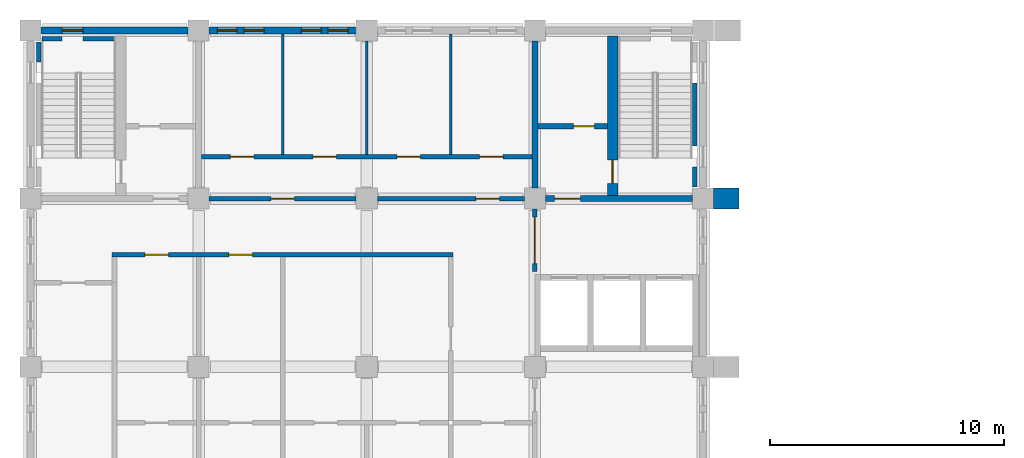
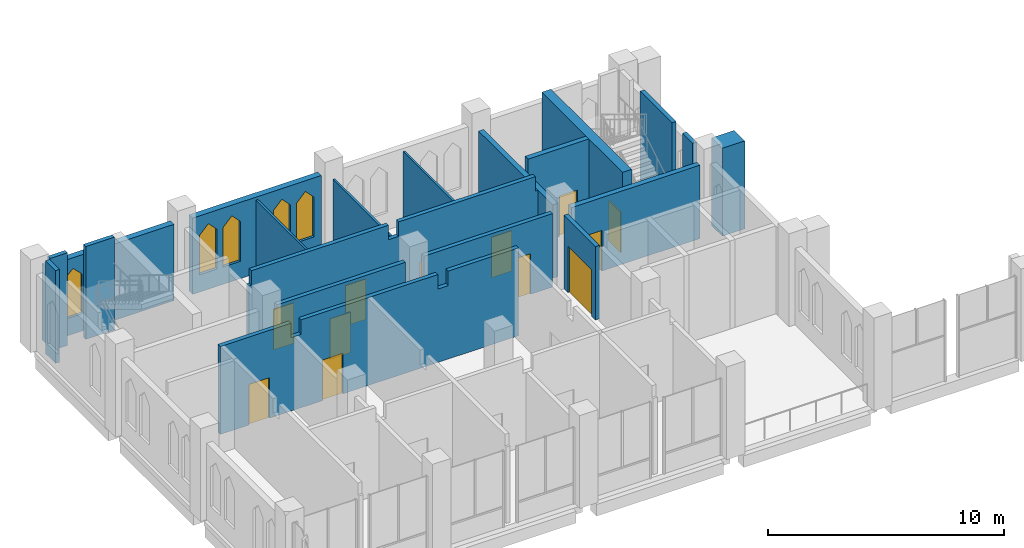
# One storey, part 32 of 40: 20 walls, 12 doors, 5 windows, 17 openings.
"""IFC4 building model written with IfcOpenShell, lengths in metres."""

from ifc_helpers import new_model, si_unit, direction, frame, frame_2d, origin, place, context, subcontext, project, spatial, polyline, rectangle, outline, extrude, material, layer, layer_set, type_object, element, fill, save


model = new_model("IFC4")

# Units and contexts
model_context = context("Model", 3, precision=1e-05, world=origin(), true_north=direction((0.0, 1.0)))
body_context = subcontext(model_context, "Body", "Model", "MODEL_VIEW")
ifc_project = project(units=[si_unit("LENGTHUNIT", "METRE"), si_unit("AREAUNIT", "SQUARE_METRE"), si_unit("VOLUMEUNIT", "CUBIC_METRE"), si_unit("PLANEANGLEUNIT", "RADIAN"), si_unit("MASSUNIT", "GRAM", prefix="KILO")], contexts=[model_context])

# Site, building, storey
site_placement = place(None, origin())
site = spatial("IfcSite", under=ifc_project, at=site_placement, CompositionType="ELEMENT")
building_placement = place(site_placement, origin())
building = spatial("IfcBuilding", under=site, at=building_placement, Name="Silangan Lancet Faculty of Sciences", CompositionType="ELEMENT")
storey_placement = place(building_placement, frame((0.0, 0.0, 16.800048828125)))
storey = spatial("IfcBuildingStorey", under=building, at=storey_placement, Name="L03", CompositionType="ELEMENT", Elevation=16.800048828125)

# Wall, openings, windows
ifc_material_1 = material(Name="Concrete C40/50 precast", Category="concrete")
ifc_layer_1 = layer(ifc_material_1, 0.300048828125)
ifc_layer_set_1 = layer_set([ifc_layer_1], Name="Concrete C40/50 precast")
wall_type_1 = type_object("IfcWallType", Name="EW1 Precast cladding wall", PredefinedType="STANDARD", material=ifc_layer_set_1)
wall_1_placement = place(storey_placement, frame((13.949951171875, 57.60009765625, 0.0), z_axis=(0.0, 0.0, 1.0), x_axis=(-1.0, 0.0, 0.0)))
wall_1 = element("IfcWall", 1, at=wall_1_placement, inside=storey, type_object=wall_type_1, Name="EW-L03-N-NT-02", PredefinedType="STANDARD", context=body_context, shape_type="SweptSolid", body=[
    extrude(rectangle(XDim=6.300048828125, YDim=0.300048828125, at=frame_2d((3.14990234375, 0.0))), origin(), (0.0, 0.0, 1.0), 3.949951171875),
])
opening_1_placement = place(wall_1_placement, frame((0.35009765625, 0.0, 0.89990234375)))
opening_1 = element("IfcOpeningElement", 2, at=opening_1_placement, cuts=wall_1, Name="Opening W14", PredefinedType="OPENING", context=body_context, shape_type="SweptSolid", body=[
    extrude(outline(polyline([(0.0, 0.0), (0.85009765625, 0.0), (0.85009765625, 2.050048828125), (0.425048828125, 2.5), (0.0, 2.050048828125), (0.0, 0.0)])), frame((0.0, 0.159912109375, 0.0), z_axis=(0.0, -1.0, 0.0), x_axis=(1.0, 0.0, 0.0)), (0.0, 0.0, 1.0), 0.320068359375),
])
opening_2_placement = place(wall_1_placement, frame((1.5, 0.0, 0.89990234375)))
opening_2 = element("IfcOpeningElement", 3, at=opening_2_placement, cuts=wall_1, Name="Opening W14", PredefinedType="OPENING", context=body_context, shape_type="SweptSolid", body=[
    extrude(outline(polyline([(0.0, 0.0), (0.85009765625, 0.0), (0.85009765625, 2.050048828125), (0.425048828125, 2.5), (0.0, 2.050048828125), (0.0, 0.0)])), frame((0.0, 0.159912109375, 0.0), z_axis=(0.0, -1.0, 0.0), x_axis=(1.0, 0.0, 0.0)), (0.0, 0.0, 1.0), 0.320068359375),
])
opening_3_placement = place(wall_1_placement, frame((3.949951171875, 0.0, 0.89990234375)))
opening_3 = element("IfcOpeningElement", 4, at=opening_3_placement, cuts=wall_1, Name="Opening W14", PredefinedType="OPENING", context=body_context, shape_type="SweptSolid", body=[
    extrude(outline(polyline([(0.0, 0.0), (0.85009765625, 0.0), (0.85009765625, 2.050048828125), (0.425048828125, 2.5), (0.0, 2.050048828125), (0.0, 0.0)])), frame((0.0, 0.159912109375, 0.0), z_axis=(0.0, -1.0, 0.0), x_axis=(1.0, 0.0, 0.0)), (0.0, 0.0, 1.0), 0.320068359375),
])
opening_4_placement = place(wall_1_placement, frame((5.10009765625, 0.0, 0.89990234375)))
opening_4 = element("IfcOpeningElement", 5, at=opening_4_placement, cuts=wall_1, Name="Opening W14", PredefinedType="OPENING", context=body_context, shape_type="SweptSolid", body=[
    extrude(outline(polyline([(0.0, 0.0), (0.85009765625, 0.0), (0.85009765625, 2.050048828125), (0.425048828125, 2.5), (0.0, 2.050048828125), (0.0, 0.0)])), frame((0.0, 0.159912109375, 0.0), z_axis=(0.0, -1.0, 0.0), x_axis=(1.0, 0.0, 0.0)), (0.0, 0.0, 1.0), 0.320068359375),
])
ifc_material_2 = material(Name="Aluminium frame, laminated double glazing", Category="aluminium")
window_type_1 = type_object("IfcWindowType", Name="W14 Lancet window 850 x 2500", PartitioningType="SINGLE_PANEL", PredefinedType="WINDOW", material=ifc_material_2)
window_1_placement = place(opening_1_placement, origin())
window_1 = element("IfcWindow", 6, at=window_1_placement, inside=storey, type_object=window_type_1, Name="WIN-L03-N-NT-02a1", OverallHeight=2.5, OverallWidth=0.85009765625, PartitioningType="SINGLE_PANEL", PredefinedType="WINDOW", context=body_context, shape_type="SweptSolid", body=[
    extrude(outline(polyline([(0.0, 0.0), (0.85009765625, 0.0), (0.85009765625, 2.050048828125), (0.425048828125, 2.5), (0.0, 2.050048828125), (0.0, 0.0)])), frame((0.0, 0.030029296875, 0.0), z_axis=(0.0, -1.0, 0.0), x_axis=(1.0, 0.0, 0.0)), (0.0, 0.0, 1.0), 0.06005859375),
])
fill(opening_1, window_1)
window_2_placement = place(opening_2_placement, origin())
window_2 = element("IfcWindow", 7, at=window_2_placement, inside=storey, type_object=window_type_1, Name="WIN-L03-N-NT-02a2", OverallHeight=2.5, OverallWidth=0.85009765625, PartitioningType="SINGLE_PANEL", PredefinedType="WINDOW", context=body_context, shape_type="SweptSolid", body=[
    extrude(outline(polyline([(0.0, 0.0), (0.85009765625, 0.0), (0.85009765625, 2.050048828125), (0.425048828125, 2.5), (0.0, 2.050048828125), (0.0, 0.0)])), frame((0.0, 0.030029296875, 0.0), z_axis=(0.0, -1.0, 0.0), x_axis=(1.0, 0.0, 0.0)), (0.0, 0.0, 1.0), 0.06005859375),
])
fill(opening_2, window_2)
window_3_placement = place(opening_3_placement, origin())
window_3 = element("IfcWindow", 8, at=window_3_placement, inside=storey, type_object=window_type_1, Name="WIN-L03-N-NT-02b1", OverallHeight=2.5, OverallWidth=0.85009765625, PartitioningType="SINGLE_PANEL", PredefinedType="WINDOW", context=body_context, shape_type="SweptSolid", body=[
    extrude(outline(polyline([(0.0, 0.0), (0.85009765625, 0.0), (0.85009765625, 2.050048828125), (0.425048828125, 2.5), (0.0, 2.050048828125), (0.0, 0.0)])), frame((0.0, 0.030029296875, 0.0), z_axis=(0.0, -1.0, 0.0), x_axis=(1.0, 0.0, 0.0)), (0.0, 0.0, 1.0), 0.06005859375),
])
fill(opening_3, window_3)
window_4_placement = place(opening_4_placement, origin())
window_4 = element("IfcWindow", 9, at=window_4_placement, inside=storey, type_object=window_type_1, Name="WIN-L03-N-NT-02b2", OverallHeight=2.5, OverallWidth=0.85009765625, PartitioningType="SINGLE_PANEL", PredefinedType="WINDOW", context=body_context, shape_type="SweptSolid", body=[
    extrude(outline(polyline([(0.0, 0.0), (0.85009765625, 0.0), (0.85009765625, 2.050048828125), (0.425048828125, 2.5), (0.0, 2.050048828125), (0.0, 0.0)])), frame((0.0, 0.030029296875, 0.0), z_axis=(0.0, -1.0, 0.0), x_axis=(1.0, 0.0, 0.0)), (0.0, 0.0, 1.0), 0.06005859375),
])
fill(opening_4, window_4)

# Wall, opening, window
ifc_material_3 = material(Name="Concrete C40/50 precast", Category="concrete")
ifc_layer_2 = layer(ifc_material_3, 0.300048828125)
ifc_layer_set_2 = layer_set([ifc_layer_2], Name="Concrete C40/50 precast")
wall_type_2 = type_object("IfcWallType", Name="EW2 Turret enclosure wall", PredefinedType="STANDARD", material=ifc_layer_set_2)
wall_2_placement = place(storey_placement, frame((6.75, 57.60009765625, 0.0), z_axis=(0.0, 0.0, 1.0), x_axis=(-1.0, 0.0, 0.0)))
wall_2 = element("IfcWall", 10, at=wall_2_placement, inside=storey, type_object=wall_type_2, Name="EW-L03-N-NT-03", PredefinedType="STANDARD", context=body_context, shape_type="SweptSolid", body=[
    extrude(rectangle(XDim=6.300048828125, YDim=0.300048828125, at=frame_2d((3.14990234375, 0.0))), origin(), (0.0, 0.0, 1.0), 3.949951171875),
])
opening_5_placement = place(wall_2_placement, frame((4.5, 0.0, 0.89990234375)))
opening_5 = element("IfcOpeningElement", 11, at=opening_5_placement, cuts=wall_2, Name="Opening W11", PredefinedType="OPENING", context=body_context, shape_type="SweptSolid", body=[
    extrude(outline(polyline([(0.0, 0.0), (0.89990234375, 0.0), (0.89990234375, 2.050048828125), (0.449951171875, 2.5), (0.0, 2.050048828125), (0.0, 0.0)])), frame((0.0, 0.159912109375, 0.0), z_axis=(0.0, -1.0, 0.0), x_axis=(1.0, 0.0, 0.0)), (0.0, 0.0, 1.0), 0.320068359375),
])
ifc_material_4 = material(Name="Aluminium frame, laminated double glazing", Category="aluminium")
window_type_2 = type_object("IfcWindowType", Name="W11 Lancet window 900 x 2500", PartitioningType="SINGLE_PANEL", PredefinedType="WINDOW", material=ifc_material_4)
window_5_placement = place(opening_5_placement, origin())
window_5 = element("IfcWindow", 12, at=window_5_placement, inside=storey, type_object=window_type_2, Name="WIN-L03-N-NT-03b", OverallHeight=2.5, OverallWidth=0.89990234375, PartitioningType="SINGLE_PANEL", PredefinedType="WINDOW", context=body_context, shape_type="SweptSolid", body=[
    extrude(outline(polyline([(0.0, 0.0), (0.89990234375, 0.0), (0.89990234375, 2.050048828125), (0.449951171875, 2.5), (0.0, 2.050048828125), (0.0, 0.0)])), frame((0.0, 0.030029296875, 0.0), z_axis=(0.0, -1.0, 0.0), x_axis=(1.0, 0.0, 0.0)), (0.0, 0.0, 1.0), 0.06005859375),
])
fill(opening_5, window_5)

# Wall
ifc_material_5 = material(Name="Concrete C40/50 precast", Category="concrete")
ifc_layer_3 = layer(ifc_material_5, 0.89990234375)
ifc_layer_set_3 = layer_set([ifc_layer_3], Name="Concrete C40/50 precast")
wall_type_3 = type_object("IfcWallType", Name="FN46 Buttress Fin column line stage 1 4550", PredefinedType="POLYGONAL", material=ifc_layer_set_3)
wall_3_placement = place(storey_placement, frame((29.25, 50.39990234375, 0.0), z_axis=(0.0, 0.0, 1.0), x_axis=(1.0, 0.0, 0.0)))
element("IfcWall", 13, at=wall_3_placement, inside=storey, type_object=wall_type_3, Name="FINC-E-NT-03", PredefinedType="POLYGONAL", context=body_context, shape_type="SweptSolid", body=[
    extrude(outline(polyline([(1.10009765625, 0.0), (1.10009765625, 4.550048828125), (0.0, 4.550048828125), (0.0, 0.0), (1.10009765625, 0.0)])), frame((0.0, 0.449951171875, 0.0), z_axis=(0.0, -1.0, 0.0), x_axis=(1.0, 0.0, 0.0)), (0.0, 0.0, 1.0), 0.89990234375),
])

# Wall, openings, doors
ifc_material_6 = material(Name="Hollow block masonry fm 7 MPa", Category="masonry")
ifc_layer_4 = layer(ifc_material_6, 0.199951171875)
ifc_layer_set_4 = layer_set([ifc_layer_4], Name="Hollow block masonry fm 7 MPa")
wall_type_4 = type_object("IfcWallType", Name="Interior wall PW1 Corridor wall CHB 200", PredefinedType="PARTITIONING", material=ifc_layer_set_4)
wall_4_placement = place(storey_placement, frame((3.5, 48.0, 0.0), z_axis=(0.0, 0.0, 1.0), x_axis=(1.0, 0.0, 0.0)))
wall_4 = element("IfcWall", 14, at=wall_4_placement, inside=storey, type_object=wall_type_4, Name="Corridor wall CHB 200", PredefinedType="PARTITIONING", context=body_context, shape_type="SweptSolid", body=[
    extrude(outline(polyline([(0.0, 0.0), (14.60009765625, 0.0), (14.60009765625, 4.550048828125), (11.14990234375, 4.550048828125), (11.14990234375, 3.800048828125), (10.64990234375, 3.800048828125), (10.64990234375, 4.550048828125), (3.949951171875, 4.550048828125), (3.949951171875, 3.800048828125), (3.449951171875, 3.800048828125), (3.449951171875, 4.550048828125), (0.0, 4.550048828125), (0.0, 0.0)])), frame((0.0, 0.10009765625, 0.0), z_axis=(0.0, -1.0, 0.0), x_axis=(1.0, 0.0, 0.0)), (0.0, 0.0, 1.0), 0.199951171875),
])
opening_6_placement = place(wall_4_placement, frame((1.39990234375, 0.0, 0.0)))
opening_6 = element("IfcOpeningElement", 15, at=opening_6_placement, cuts=wall_4, Name="Opening L03-028", PredefinedType="OPENING", context=body_context, shape_type="SweptSolid", body=[
    extrude(rectangle(XDim=1.0, YDim=2.10009765625, at=frame_2d((0.5, 1.050048828125))), frame((0.0, 0.10986328125, 0.0), z_axis=(0.0, -1.0, 0.0), x_axis=(1.0, 0.0, 0.0)), (0.0, 0.0, 1.0), 0.219970703125),
])
opening_7_placement = place(wall_4_placement, frame((5.0, 0.0, 0.0)))
opening_7 = element("IfcOpeningElement", 16, at=opening_7_placement, cuts=wall_4, Name="Opening L03-030", PredefinedType="OPENING", context=body_context, shape_type="SweptSolid", body=[
    extrude(rectangle(XDim=1.0, YDim=2.10009765625, at=frame_2d((0.5, 1.050048828125))), frame((0.0, 0.10986328125, 0.0), z_axis=(0.0, -1.0, 0.0), x_axis=(1.0, 0.0, 0.0)), (0.0, 0.0, 1.0), 0.219970703125),
])
ifc_material_7 = material(Name="Steel fire door set", Category="steel")
door_type_1 = type_object("IfcDoorType", Name="Door D1 Single leaf fire door 1000 x 2100", OperationType="SINGLE_SWING_LEFT", PredefinedType="DOOR", material=ifc_material_7)
door_1_placement = place(opening_6_placement, frame((1.0, 0.0, 0.0), z_axis=(0.0, 0.0, 1.0), x_axis=(-1.0, 0.0, 0.0)))
door_1 = element("IfcDoor", 17, at=door_1_placement, inside=storey, type_object=door_type_1, Name="Single leaf fire door 1000 x 2100", OperationType="SINGLE_SWING_RIGHT", OverallHeight=2.10009765625, OverallWidth=1.0, PredefinedType="DOOR", context=body_context, shape_type="SweptSolid", body=[
    extrude(rectangle(XDim=1.0, YDim=2.10009765625, at=frame_2d((0.5, 1.050048828125))), frame((0.0, 0.025146484375, 0.0), z_axis=(0.0, -1.0, 0.0), x_axis=(1.0, 0.0, 0.0)), (0.0, 0.0, 1.0), 0.050048828125),
])
fill(opening_6, door_1)
door_2_placement = place(opening_7_placement, frame((1.0, 0.0, 0.0), z_axis=(0.0, 0.0, 1.0), x_axis=(-1.0, 0.0, 0.0)))
door_2 = element("IfcDoor", 18, at=door_2_placement, inside=storey, type_object=door_type_1, Name="Single leaf fire door 1000 x 2100", OperationType="SINGLE_SWING_RIGHT", OverallHeight=2.10009765625, OverallWidth=1.0, PredefinedType="DOOR", context=body_context, shape_type="SweptSolid", body=[
    extrude(rectangle(XDim=1.0, YDim=2.10009765625, at=frame_2d((0.5, 1.050048828125))), frame((0.0, 0.025146484375, 0.0), z_axis=(0.0, -1.0, 0.0), x_axis=(1.0, 0.0, 0.0)), (0.0, 0.0, 1.0), 0.050048828125),
])
fill(opening_7, door_2)

# Wall, opening, door
wall_5_placement = place(storey_placement, frame((7.64990234375, 50.39990234375, 0.0), z_axis=(0.0, 0.0, 1.0), x_axis=(1.0, 0.0, 0.0)))
wall_5 = element("IfcWall", 19, at=wall_5_placement, inside=storey, type_object=wall_type_4, Name="Corridor wall CHB 200", PredefinedType="PARTITIONING", context=body_context, shape_type="SweptSolid", body=[
    extrude(rectangle(XDim=6.300048828125, YDim=0.199951171875, at=frame_2d((3.14990234375, 0.0))), origin(), (0.0, 0.0, 1.0), 3.800048828125),
])
opening_8_placement = place(wall_5_placement, frame((2.64990234375, 0.0, 0.0)))
opening_8 = element("IfcOpeningElement", 20, at=opening_8_placement, cuts=wall_5, Name="Opening L03-005", PredefinedType="OPENING", context=body_context, shape_type="SweptSolid", body=[
    extrude(rectangle(XDim=1.0, YDim=2.10009765625, at=frame_2d((0.5, 1.050048828125))), frame((0.0, 0.10986328125, 0.0), z_axis=(0.0, -1.0, 0.0), x_axis=(1.0, 0.0, 0.0)), (0.0, 0.0, 1.0), 0.219970703125),
])
door_3_placement = place(opening_8_placement, origin())
door_3 = element("IfcDoor", 21, at=door_3_placement, inside=storey, type_object=door_type_1, Name="Single leaf fire door 1000 x 2100", OperationType="SINGLE_SWING_RIGHT", OverallHeight=2.10009765625, OverallWidth=1.0, PredefinedType="DOOR", context=body_context, shape_type="SweptSolid", body=[
    extrude(rectangle(XDim=1.0, YDim=2.10009765625, at=frame_2d((0.5, 1.050048828125))), frame((0.0, 0.02490234375, 0.0), z_axis=(0.0, -1.0, 0.0), x_axis=(1.0, 0.0, 0.0)), (0.0, 0.0, 1.0), 0.050048828125),
])
fill(opening_8, door_3)

wall_6_placement = place(storey_placement, frame((14.85009765625, 50.39990234375, 0.0), z_axis=(0.0, 0.0, 1.0), x_axis=(1.0, 0.0, 0.0)))
wall_6 = element("IfcWall", 22, at=wall_6_placement, inside=storey, type_object=wall_type_4, Name="Corridor wall CHB 200", PredefinedType="PARTITIONING", context=body_context, shape_type="SweptSolid", body=[
    extrude(rectangle(XDim=6.2998046875, YDim=0.199951171875, at=frame_2d((3.14990234375, 0.0))), origin(), (0.0, 0.0, 1.0), 3.800048828125),
])
opening_9_placement = place(wall_6_placement, frame((4.224853515625, 0.0, 0.0)))
opening_9 = element("IfcOpeningElement", 23, at=opening_9_placement, cuts=wall_6, Name="Opening L03-006", PredefinedType="OPENING", context=body_context, shape_type="SweptSolid", body=[
    extrude(rectangle(XDim=1.0, YDim=2.10009765625, at=frame_2d((0.5, 1.050048828125))), frame((0.0, 0.10986328125, 0.0), z_axis=(0.0, -1.0, 0.0), x_axis=(1.0, 0.0, 0.0)), (0.0, 0.0, 1.0), 0.219970703125),
])
door_4_placement = place(opening_9_placement, origin())
door_4 = element("IfcDoor", 24, at=door_4_placement, inside=storey, type_object=door_type_1, Name="Single leaf fire door 1000 x 2100", OperationType="SINGLE_SWING_LEFT", OverallHeight=2.10009765625, OverallWidth=1.0, PredefinedType="DOOR", context=body_context, shape_type="SweptSolid", body=[
    extrude(rectangle(XDim=1.0, YDim=2.10009765625, at=frame_2d((0.5, 1.050048828125))), frame((0.0, 0.02490234375, 0.0), z_axis=(0.0, -1.0, 0.0), x_axis=(1.0, 0.0, 0.0)), (0.0, 0.0, 1.0), 0.050048828125),
])
fill(opening_9, door_4)

# Wall, openings, doors
wall_7_placement = place(storey_placement, frame((7.324951171875, 52.199951171875, 0.0), z_axis=(0.0, 0.0, 1.0), x_axis=(1.0, 0.0, 0.0)))
wall_7 = element("IfcWall", 25, at=wall_7_placement, inside=storey, type_object=wall_type_4, Name="Corridor wall CHB 200", PredefinedType="PARTITIONING", context=body_context, shape_type="SweptSolid", body=[
    extrude(outline(polyline([(0.0, 0.0), (14.150146484375, 0.0), (14.150146484375, 3.800048828125), (14.02490234375, 3.800048828125), (14.02490234375, 4.550048828125), (7.324951171875, 4.550048828125), (7.324951171875, 3.800048828125), (6.824951171875, 3.800048828125), (6.824951171875, 4.550048828125), (0.125, 4.550048828125), (0.125, 3.800048828125), (0.0, 3.800048828125), (0.0, 0.0)])), frame((0.0, 0.10009765625, 0.0), z_axis=(0.0, -1.0, 0.0), x_axis=(1.0, 0.0, 0.0)), (0.0, 0.0, 1.0), 0.199951171875),
])
opening_10_placement = place(wall_7_placement, frame((1.237548828125, 0.0, 0.0)))
opening_10 = element("IfcOpeningElement", 26, at=opening_10_placement, cuts=wall_7, Name="Opening L03-021", PredefinedType="OPENING", context=body_context, shape_type="SweptSolid", body=[
    extrude(rectangle(XDim=1.0, YDim=2.10009765625, at=frame_2d((0.5, 1.050048828125))), frame((0.0, 0.10986328125, 0.0), z_axis=(0.0, -1.0, 0.0), x_axis=(1.0, 0.0, 0.0)), (0.0, 0.0, 1.0), 0.219970703125),
])
opening_11_placement = place(wall_7_placement, frame((4.77490234375, 0.0, 0.0)))
opening_11 = element("IfcOpeningElement", 27, at=opening_11_placement, cuts=wall_7, Name="Opening L03-022", PredefinedType="OPENING", context=body_context, shape_type="SweptSolid", body=[
    extrude(rectangle(XDim=1.0, YDim=2.10009765625, at=frame_2d((0.5, 1.050048828125))), frame((0.0, 0.10986328125, 0.0), z_axis=(0.0, -1.0, 0.0), x_axis=(1.0, 0.0, 0.0)), (0.0, 0.0, 1.0), 0.219970703125),
])
opening_12_placement = place(wall_7_placement, frame((8.375, 0.0, 0.0)))
opening_12 = element("IfcOpeningElement", 28, at=opening_12_placement, cuts=wall_7, Name="Opening L03-023", PredefinedType="OPENING", context=body_context, shape_type="SweptSolid", body=[
    extrude(rectangle(XDim=1.0, YDim=2.10009765625, at=frame_2d((0.5, 1.050048828125))), frame((0.0, 0.10986328125, 0.0), z_axis=(0.0, -1.0, 0.0), x_axis=(1.0, 0.0, 0.0)), (0.0, 0.0, 1.0), 0.219970703125),
])
opening_13_placement = place(wall_7_placement, frame((11.91259765625, 0.0, 0.0)))
opening_13 = element("IfcOpeningElement", 29, at=opening_13_placement, cuts=wall_7, Name="Opening L03-024", PredefinedType="OPENING", context=body_context, shape_type="SweptSolid", body=[
    extrude(rectangle(XDim=1.0, YDim=2.10009765625, at=frame_2d((0.5, 1.050048828125))), frame((0.0, 0.10986328125, 0.0), z_axis=(0.0, -1.0, 0.0), x_axis=(1.0, 0.0, 0.0)), (0.0, 0.0, 1.0), 0.219970703125),
])
door_5_placement = place(opening_10_placement, origin())
door_5 = element("IfcDoor", 30, at=door_5_placement, inside=storey, type_object=door_type_1, Name="Single leaf fire door 1000 x 2100", OperationType="SINGLE_SWING_RIGHT", OverallHeight=2.10009765625, OverallWidth=1.0, PredefinedType="DOOR", context=body_context, shape_type="SweptSolid", body=[
    extrude(rectangle(XDim=1.0, YDim=2.10009765625, at=frame_2d((0.5, 1.050048828125))), frame((0.0, 0.02490234375, 0.0), z_axis=(0.0, -1.0, 0.0), x_axis=(1.0, 0.0, 0.0)), (0.0, 0.0, 1.0), 0.050048828125),
])
fill(opening_10, door_5)
door_6_placement = place(opening_11_placement, origin())
door_6 = element("IfcDoor", 31, at=door_6_placement, inside=storey, type_object=door_type_1, Name="Single leaf fire door 1000 x 2100", OperationType="SINGLE_SWING_LEFT", OverallHeight=2.10009765625, OverallWidth=1.0, PredefinedType="DOOR", context=body_context, shape_type="SweptSolid", body=[
    extrude(rectangle(XDim=1.0, YDim=2.10009765625, at=frame_2d((0.5, 1.050048828125))), frame((0.0, 0.02490234375, 0.0), z_axis=(0.0, -1.0, 0.0), x_axis=(1.0, 0.0, 0.0)), (0.0, 0.0, 1.0), 0.050048828125),
])
fill(opening_11, door_6)
door_7_placement = place(opening_12_placement, origin())
door_7 = element("IfcDoor", 32, at=door_7_placement, inside=storey, type_object=door_type_1, Name="Single leaf fire door 1000 x 2100", OperationType="SINGLE_SWING_RIGHT", OverallHeight=2.10009765625, OverallWidth=1.0, PredefinedType="DOOR", context=body_context, shape_type="SweptSolid", body=[
    extrude(rectangle(XDim=1.0, YDim=2.10009765625, at=frame_2d((0.5, 1.050048828125))), frame((0.0, 0.02490234375, 0.0), z_axis=(0.0, -1.0, 0.0), x_axis=(1.0, 0.0, 0.0)), (0.0, 0.0, 1.0), 0.050048828125),
])
fill(opening_12, door_7)
door_8_placement = place(opening_13_placement, origin())
door_8 = element("IfcDoor", 33, at=door_8_placement, inside=storey, type_object=door_type_1, Name="Single leaf fire door 1000 x 2100", OperationType="SINGLE_SWING_LEFT", OverallHeight=2.10009765625, OverallWidth=1.0, PredefinedType="DOOR", context=body_context, shape_type="SweptSolid", body=[
    extrude(rectangle(XDim=1.0, YDim=2.10009765625, at=frame_2d((0.5, 1.050048828125))), frame((0.0, 0.02490234375, 0.0), z_axis=(0.0, -1.0, 0.0), x_axis=(1.0, 0.0, 0.0)), (0.0, 0.0, 1.0), 0.050048828125),
])
fill(opening_13, door_8)

# Walls
ifc_material_8 = material(Name="Hollow block masonry fm 7 MPa", Category="masonry")
ifc_layer_5 = layer(ifc_material_8, 0.10009765625)
ifc_layer_set_5 = layer_set([ifc_layer_5], Name="Hollow block masonry fm 7 MPa")
wall_type_5 = type_object("IfcWallType", Name="Interior wall PW8 WC partition CHB 100", PredefinedType="PARTITIONING", material=ifc_layer_set_5)
wall_8_placement = place(storey_placement, frame((10.800048828125, 52.300048828125, 0.0), z_axis=(0.0, 0.0, 1.0), x_axis=(0.0, 1.0, 0.0)))
element("IfcWall", 34, at=wall_8_placement, inside=storey, type_object=wall_type_5, Name="WC partition CHB 100", PredefinedType="PARTITIONING", context=body_context, shape_type="SweptSolid", body=[
    extrude(rectangle(XDim=5.14990234375, YDim=0.10009765625, at=frame_2d((2.574951171875, 0.0))), origin(), (0.0, 0.0, 1.0), 3.800048828125),
])
wall_9_placement = place(storey_placement, frame((14.39990234375, 52.300048828125, 0.0), z_axis=(0.0, 0.0, 1.0), x_axis=(0.0, 1.0, 0.0)))
element("IfcWall", 35, at=wall_9_placement, inside=storey, type_object=wall_type_5, Name="WC partition CHB 100", PredefinedType="PARTITIONING", context=body_context, shape_type="SweptSolid", body=[
    extrude(rectangle(XDim=4.849853515625, YDim=0.10009765625, at=frame_2d((2.4248046875, 0.0))), origin(), (0.0, 0.0, 1.0), 3.800048828125),
])
wall_10_placement = place(storey_placement, frame((18.0, 52.300048828125, 0.0), z_axis=(0.0, 0.0, 1.0), x_axis=(0.0, 1.0, 0.0)))
element("IfcWall", 36, at=wall_10_placement, inside=storey, type_object=wall_type_5, Name="WC partition CHB 100", PredefinedType="PARTITIONING", context=body_context, shape_type="SweptSolid", body=[
    extrude(rectangle(XDim=5.14990234375, YDim=0.10009765625, at=frame_2d((2.574951171875, 0.0))), origin(), (0.0, 0.0, 1.0), 3.800048828125),
])

# Wall, opening, door
ifc_material_9 = material(Name="Hollow block masonry fm 7 MPa", Category="masonry")
ifc_layer_6 = layer(ifc_material_9, 0.199951171875)
ifc_layer_set_6 = layer_set([ifc_layer_6], Name="Hollow block masonry fm 7 MPa")
wall_type_6 = type_object("IfcWallType", Name="Interior wall PW9 Lift lobby wall CHB 200", PredefinedType="PARTITIONING", material=ifc_layer_set_6)
wall_11_placement = place(storey_placement, frame((21.60009765625, 47.27490234375, 0.0), z_axis=(0.0, 0.0, 1.0), x_axis=(0.0, 1.0, 0.0)))
wall_11 = element("IfcWall", 37, at=wall_11_placement, inside=storey, type_object=wall_type_6, Name="Lift lobby wall CHB 200", PredefinedType="PARTITIONING", context=body_context, shape_type="SweptSolid", body=[
    extrude(rectangle(XDim=2.675048828125, YDim=0.199951171875, at=frame_2d((1.33740234375, 0.0))), origin(), (0.0, 0.0, 1.0), 3.800048828125),
])
opening_14_placement = place(wall_11_placement, frame((0.33740234375, 0.0, 0.0)))
opening_14 = element("IfcOpeningElement", 38, at=opening_14_placement, cuts=wall_11, Name="Opening L03-004", PredefinedType="OPENING", context=body_context, shape_type="SweptSolid", body=[
    extrude(rectangle(XDim=2.0, YDim=2.39990234375, at=frame_2d((1.0, 1.199951171875))), frame((0.0, 0.10986328125, 0.0), z_axis=(0.0, -1.0, 0.0), x_axis=(1.0, 0.0, 0.0)), (0.0, 0.0, 1.0), 0.219970703125),
])
ifc_material_10 = material(Name="Steel fire door set", Category="steel")
door_type_2 = type_object("IfcDoorType", Name="Door D5 Lift lobby double fire door 2000 x 2400", OperationType="DOUBLE_DOOR_SINGLE_SWING", PredefinedType="DOOR", material=ifc_material_10)
door_9_placement = place(opening_14_placement, origin())
door_9 = element("IfcDoor", 39, at=door_9_placement, inside=storey, type_object=door_type_2, Name="Lift lobby double fire door 2000 x 2400", OperationType="DOUBLE_DOOR_SINGLE_SWING", OverallHeight=2.39990234375, OverallWidth=2.0, PredefinedType="DOOR", context=body_context, shape_type="SweptSolid", body=[
    extrude(rectangle(XDim=2.0, YDim=2.39990234375, at=frame_2d((1.0, 1.199951171875))), frame((0.0, 0.02490234375, 0.0), z_axis=(0.0, -1.0, 0.0), x_axis=(1.0, 0.0, 0.0)), (0.0, 0.0, 1.0), 0.050048828125),
])
fill(opening_14, door_9)

ifc_material_11 = material(Name="Concrete C40/50", Category="concrete")
ifc_layer_7 = layer(ifc_material_11, 0.449951171875)
ifc_layer_set_7 = layer_set([ifc_layer_7], Name="Concrete C40/50")
wall_type_7 = type_object("IfcWallType", Name="TURRET CORE WALL RC 450", PredefinedType="SHEAR", material=ifc_layer_set_7)
wall_12_placement = place(storey_placement, frame((24.925048828125, 50.52490234375, 0.0), z_axis=(0.0, 0.0, 1.0), x_axis=(0.0, 1.0, 0.0)))
wall_12 = element("IfcWall", 40, at=wall_12_placement, inside=storey, type_object=wall_type_7, Name="WALL-L03-NT-B-WELL", PredefinedType="SHEAR", context=body_context, shape_type="SweptSolid", body=[
    extrude(rectangle(XDim=6.85009765625, YDim=0.449951171875, at=frame_2d((3.425048828125, 0.0))), origin(), (0.0, 0.0, 1.0), 4.550048828125),
])
opening_15_placement = place(wall_12_placement, frame((0.52490234375, 0.0, 0.0)))
opening_15 = element("IfcOpeningElement", 41, at=opening_15_placement, cuts=wall_12, Name="Opening L03-710", PredefinedType="OPENING", context=body_context, shape_type="SweptSolid", body=[
    extrude(rectangle(XDim=1.0, YDim=2.10009765625, at=frame_2d((0.5, 1.050048828125))), frame((0.0, 0.23486328125, 0.0), z_axis=(0.0, -1.0, 0.0), x_axis=(1.0, 0.0, 0.0)), (0.0, 0.0, 1.0), 0.469970703125),
])
ifc_material_12 = material(Name="Steel fire door set", Category="steel")
door_type_3 = type_object("IfcDoorType", Name="D71 Stair enclosure door 1000x2100", OperationType="SINGLE_SWING_LEFT", PredefinedType="DOOR", material=ifc_material_12)
door_10_placement = place(opening_15_placement, frame((1.0, 0.0, 0.0), z_axis=(0.0, 0.0, 1.0), x_axis=(-1.0, 0.0, 0.0)))
door_10 = element("IfcDoor", 42, at=door_10_placement, inside=storey, type_object=door_type_3, Name="Stair enclosure door NT-B L03", OperationType="SINGLE_SWING_RIGHT", OverallHeight=2.10009765625, OverallWidth=1.0, PredefinedType="DOOR", context=body_context, shape_type="SweptSolid", body=[
    extrude(rectangle(XDim=1.0, YDim=2.10009765625, at=frame_2d((0.5, 1.050048828125))), frame((0.0, 0.025146484375, 0.0), z_axis=(0.0, -1.0, 0.0), x_axis=(1.0, 0.0, 0.0)), (0.0, 0.0, 1.0), 0.050048828125),
])
fill(opening_15, door_10)

# Walls
ifc_material_13 = material(Name="Concrete C40/50", Category="concrete")
ifc_layer_8 = layer(ifc_material_13, 0.199951171875)
ifc_layer_set_8 = layer_set([ifc_layer_8], Name="Concrete C40/50")
wall_type_8 = type_object("IfcWallType", Name="TURRET LINING WALL RC 200", PredefinedType="SHEAR", material=ifc_layer_set_8)
for number, where, z_axis, x_axis, name in (
    (43, (0.35009765625, 56.25, -0.25), (0.0, 0.0, 1.0), (0.0, 1.0, 0.0), "WALL-L03-NT-A-WL-3"),
    (44, (0.5, 57.25, -0.25), (0.0, 0.0, 1.0), (1.0, 0.0, 0.0), "WALL-L03-NT-A-WLD"),
):
    element("IfcWall", number, at=place(storey_placement, frame(where, z_axis=z_axis, x_axis=x_axis)), inside=storey, type_object=wall_type_8, Name=name, PredefinedType="SHEAR", context=body_context, shape_type="SweptSolid", body=[
        extrude(rectangle(XDim=0.85009765625, YDim=0.199951171875, at=frame_2d((0.425048828125, 0.0))), origin(), (0.0, 0.0, 1.0), 4.800048828125),
    ])
wall_13_placement = place(storey_placement, frame((2.25, 57.25, -0.25), z_axis=(0.0, 0.0, 1.0), x_axis=(1.0, 0.0, 0.0)))
element("IfcWall", 45, at=wall_13_placement, inside=storey, type_object=wall_type_8, Name="WALL-L03-NT-A-WLD-2", PredefinedType="SHEAR", context=body_context, shape_type="SweptSolid", body=[
    extrude(rectangle(XDim=1.39990234375, YDim=0.199951171875, at=frame_2d((0.699951171875, 0.0))), origin(), (0.0, 0.0, 1.0), 4.800048828125),
])
wall_14_placement = place(storey_placement, frame((28.449951171875, 50.89990234375, -0.25), z_axis=(0.0, 0.0, 1.0), x_axis=(0.0, 1.0, 0.0)))
element("IfcWall", 46, at=wall_14_placement, inside=storey, type_object=wall_type_8, Name="WALL-L03-NT-B-WL", PredefinedType="SHEAR", context=body_context, shape_type="SweptSolid", body=[
    extrude(rectangle(XDim=0.85009765625, YDim=0.199951171875, at=frame_2d((0.425048828125, 0.0))), origin(), (0.0, 0.0, 1.0), 4.800048828125),
])
wall_15_placement = place(storey_placement, frame((28.449951171875, 52.64990234375, -0.25), z_axis=(0.0, 0.0, 1.0), x_axis=(0.0, 1.0, 0.0)))
element("IfcWall", 47, at=wall_15_placement, inside=storey, type_object=wall_type_8, Name="WALL-L03-NT-B-WL-2", PredefinedType="SHEAR", context=body_context, shape_type="SweptSolid", body=[
    extrude(rectangle(XDim=2.7001953125, YDim=0.199951171875, at=frame_2d((1.35009765625, 0.0))), origin(), (0.0, 0.0, 1.0), 4.800048828125),
])

# Wall, opening, door
ifc_material_14 = material(Name="Concrete C40/50", Category="concrete")
ifc_layer_9 = layer(ifc_material_14, 0.25)
ifc_layer_set_9 = layer_set([ifc_layer_9], Name="Concrete C40/50")
wall_type_9 = type_object("IfcWallType", Name="TURRET WALL RC 250", PredefinedType="SHEAR", material=ifc_layer_set_9)
wall_16_placement = place(storey_placement, frame((22.050048828125, 50.39990234375, 0.0), z_axis=(0.0, 0.0, 1.0), x_axis=(1.0, 0.0, 0.0)))
wall_16 = element("IfcWall", 48, at=wall_16_placement, inside=storey, type_object=wall_type_9, Name="WALL-L03-NT-B-V", PredefinedType="SHEAR", context=body_context, shape_type="SweptSolid", body=[
    extrude(rectangle(XDim=6.300048828125, YDim=0.25, at=frame_2d((3.14990234375, 0.0))), origin(), (0.0, 0.0, 1.0), 3.800048828125),
])
opening_16_placement = place(wall_16_placement, frame((0.39990234375, 0.0, 0.0)))
opening_16 = element("IfcOpeningElement", 49, at=opening_16_placement, cuts=wall_16, Name="Opening L03-711", PredefinedType="OPENING", context=body_context, shape_type="SweptSolid", body=[
    extrude(rectangle(XDim=1.10009765625, YDim=2.10009765625, at=frame_2d((0.550048828125, 1.050048828125))), frame((0.0, 0.135009765625, 0.0), z_axis=(0.0, -1.0, 0.0), x_axis=(1.0, 0.0, 0.0)), (0.0, 0.0, 1.0), 0.27001953125),
])
ifc_material_15 = material(Name="Steel fire door set", Category="steel")
door_type_4 = type_object("IfcDoorType", Name="D70 Stair vestibule door 1100x2100", OperationType="SINGLE_SWING_LEFT", PredefinedType="DOOR", material=ifc_material_15)
door_11_placement = place(opening_16_placement, origin())
door_11 = element("IfcDoor", 50, at=door_11_placement, inside=storey, type_object=door_type_4, Name="Stair vestibule door NT-B L03", OperationType="SINGLE_SWING_LEFT", OverallHeight=2.10009765625, OverallWidth=1.10009765625, PredefinedType="DOOR", context=body_context, shape_type="SweptSolid", body=[
    extrude(rectangle(XDim=1.10009765625, YDim=2.10009765625, at=frame_2d((0.550048828125, 1.050048828125))), frame((0.0, 0.02490234375, 0.0), z_axis=(0.0, -1.0, 0.0), x_axis=(1.0, 0.0, 0.0)), (0.0, 0.0, 1.0), 0.050048828125),
])
fill(opening_16, door_11)

# Wall
wall_17_placement = place(storey_placement, frame((21.60009765625, 50.85009765625, 0.0), z_axis=(0.0, 0.0, 1.0), x_axis=(0.0, 1.0, 0.0)))
element("IfcWall", 51, at=wall_17_placement, inside=storey, type_object=wall_type_9, Name="WALL-L03-NT-B-O", PredefinedType="SHEAR", context=body_context, shape_type="SweptSolid", body=[
    extrude(rectangle(XDim=6.2998046875, YDim=0.25, at=frame_2d((3.14990234375, 0.0))), origin(), (0.0, 0.0, 1.0), 3.800048828125),
])

# Wall, opening, door
wall_18_placement = place(storey_placement, frame((21.72509765625, 53.5, 0.0), z_axis=(0.0, 0.0, 1.0), x_axis=(1.0, 0.0, 0.0)))
wall_18 = element("IfcWall", 52, at=wall_18_placement, inside=storey, type_object=wall_type_9, Name="WALL-L03-NT-B-RISER", PredefinedType="SHEAR", context=body_context, shape_type="SweptSolid", body=[
    extrude(rectangle(XDim=2.974853515625, YDim=0.25, at=frame_2d((1.4873046875, 0.0))), origin(), (0.0, 0.0, 1.0), 4.550048828125),
])
opening_17_placement = place(wall_18_placement, frame((1.52490234375, 0.0, 0.0)))
opening_17 = element("IfcOpeningElement", 53, at=opening_17_placement, cuts=wall_18, Name="Opening L03-712", PredefinedType="OPENING", context=body_context, shape_type="SweptSolid", body=[
    extrude(rectangle(XDim=0.89990234375, YDim=2.10009765625, at=frame_2d((0.449951171875, 1.050048828125))), frame((0.0, 0.135009765625, 0.0), z_axis=(0.0, -1.0, 0.0), x_axis=(1.0, 0.0, 0.0)), (0.0, 0.0, 1.0), 0.27001953125),
])
ifc_material_16 = material(Name="Steel fire door set", Category="steel")
door_type_5 = type_object("IfcDoorType", Name="D72 Riser access door 900x2100", OperationType="SINGLE_SWING_LEFT", PredefinedType="DOOR", material=ifc_material_16)
door_12_placement = place(opening_17_placement, origin())
door_12 = element("IfcDoor", 54, at=door_12_placement, inside=storey, type_object=door_type_5, Name="Riser access door NT-B L03", OperationType="SINGLE_SWING_LEFT", OverallHeight=2.10009765625, OverallWidth=0.89990234375, PredefinedType="DOOR", context=body_context, shape_type="SweptSolid", body=[
    extrude(rectangle(XDim=0.89990234375, YDim=2.10009765625, at=frame_2d((0.449951171875, 1.050048828125))), frame((0.0, 0.02490234375, 0.0), z_axis=(0.0, -1.0, 0.0), x_axis=(1.0, 0.0, 0.0)), (0.0, 0.0, 1.0), 0.050048828125),
])
fill(opening_17, door_12)

save(model, "model.ifc")
